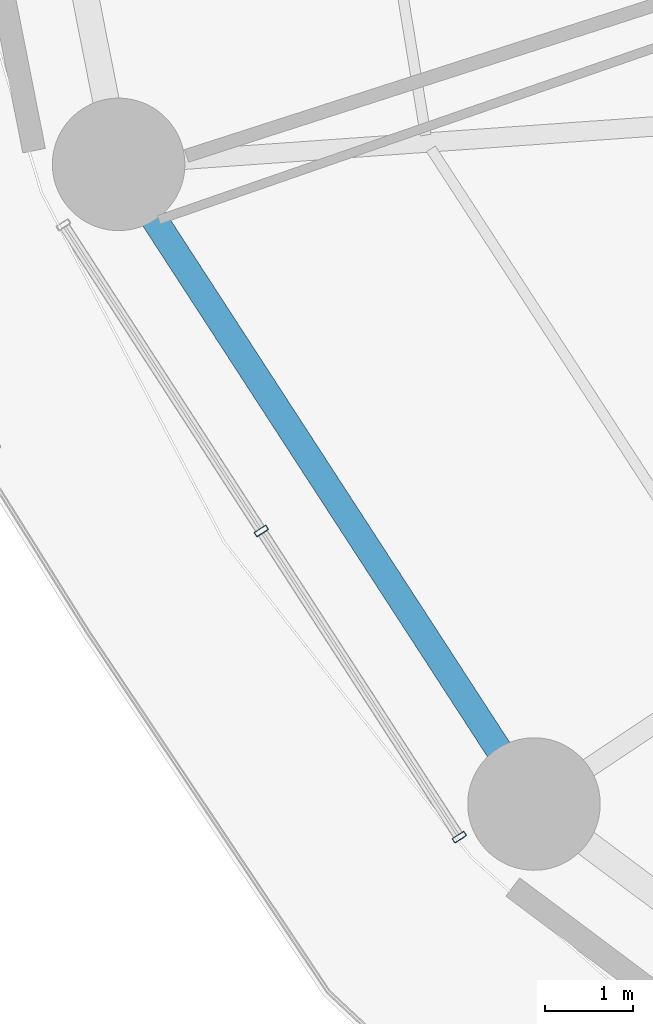
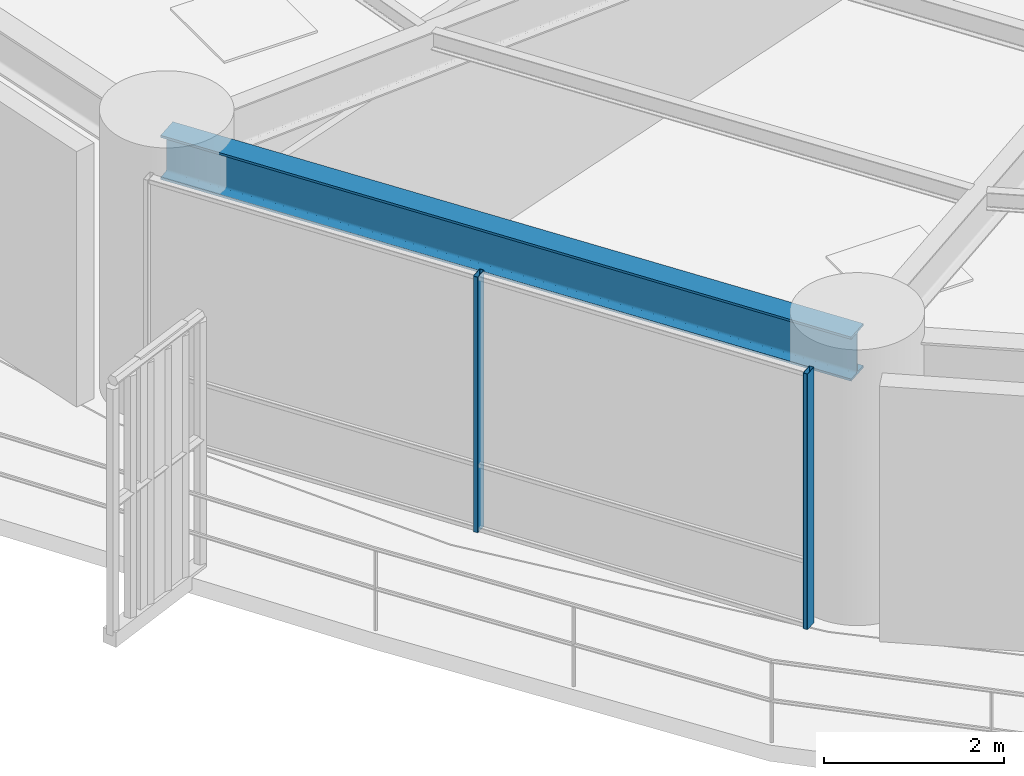
# One storey, part 2 of 31: 2 members, 1 beam, 1 element without a shape of its own.
"""IFC4 building model written with IfcOpenShell, lengths in metres."""

from ifc_helpers import new_model, si_unit, direction, frame, origin, origin_2d, place, context, subcontext, project, spatial, hollow_rectangle, i_section, extrude, material, layer, layer_set, material_profile, profile_set, type_object, element, aggregate, save


model = new_model("IFC4")

# Units and contexts
model_context = context("Model", 3, precision=1e-05, world=origin(), true_north=direction((0.0, 1.0)))
body_context = subcontext(model_context, "Body", "Model", "MODEL_VIEW")
ifc_project = project(units=[si_unit("LENGTHUNIT", "METRE"), si_unit("AREAUNIT", "SQUARE_METRE"), si_unit("VOLUMEUNIT", "CUBIC_METRE"), si_unit("PLANEANGLEUNIT", "RADIAN"), si_unit("MASSUNIT", "GRAM", prefix="KILO")], contexts=[model_context])

# Site, building, storey
site_placement = place(None, origin())
site = spatial("IfcSite", under=ifc_project, at=site_placement, CompositionType="ELEMENT")
building_placement = place(site_placement, origin())
building = spatial("IfcBuilding", under=site, at=building_placement, Name="Kelanora Arch Commons", CompositionType="ELEMENT")
storey_placement = place(building_placement, frame((0.0, 0.0, 63.75)))
storey = spatial("IfcBuildingStorey", under=building, at=storey_placement, Name="L16", CompositionType="ELEMENT", Elevation=63.75)

# Beam
ifc_material_1 = material(Name="Steel S355", Category="steel")
ifc_material_profile_1 = material_profile(ifc_material_1, i_section(OverallWidth=0.300048828125, OverallDepth=0.60009765625, WebThickness=0.015380859375, FlangeThickness=0.030029296875, FilletRadius=0.027099609375, at=origin_2d()), Name="HEB600")
ifc_profile_set_1 = profile_set([ifc_material_profile_1], Name="Steel S355")
beam_type = type_object("IfcBeamType", Name="BM-SPN-Z1", PredefinedType="SPANDREL", material=ifc_profile_set_1)
beam_placement = place(storey_placement, frame((48.552978515625, 49.76416015625, 3.18994140625), z_axis=(0.544585813928, -0.838705127722, 0.0), x_axis=(0.838705127722, 0.544585813928, 0.0)))
element("IfcBeam", 1, at=beam_placement, inside=storey, type_object=beam_type, Name="Perimeter Spandrel Beam BS-20 L16", PredefinedType="SPANDREL", context=body_context, shape_type="SweptSolid", body=[
    extrude(i_section(OverallWidth=0.300048828125, OverallDepth=0.60009765625, WebThickness=0.015380859375, FlangeThickness=0.030029296875, FilletRadius=0.027099609375, at=origin_2d()), origin(), (0.0, 0.0, 1.0), 8.63525390625),
])

# Curtain wall, members
ifc_material_2 = material(Name="Terracotta ceramic-fritted low-E glass and aluminium", Category="masonry")
ifc_layer = layer(ifc_material_2, 0.159912109375)
ifc_layer_set = layer_set([ifc_layer], Name="Terracotta ceramic-fritted low-E glass and aluminium")
curtain_wall_type = type_object("IfcCurtainWallType", Name="CW-SYS-01", PredefinedType="NOTDEFINED", material=ifc_layer_set)
curtain_wall_placement = place(storey_placement, origin())
curtain_wall = element("IfcCurtainWall", 2, at=curtain_wall_placement, inside=storey, type_object=curtain_wall_type, Name="Unitised Curtain Wall L16-B10", PredefinedType="NOTDEFINED")
ifc_material_3 = material(Name="Powder-coated aluminium terracotta", Category="masonry")
ifc_material_profile_2 = material_profile(ifc_material_3, hollow_rectangle(XDim=0.159912109375, YDim=0.06005859375, WallThickness=0.0048828125, InnerFilletRadius=0.0048828125, OuterFilletRadius=0.010009765625, at=origin_2d()), Name="CWM160x60")
ifc_profile_set_2 = profile_set([ifc_material_profile_2], Name="Powder-coated aluminium terracotta")
member_type = type_object("IfcMemberType", Name="CWM-STD", PredefinedType="MULLION", material=ifc_profile_set_2)
member_1_placement = place(storey_placement, frame((50.169189453125, 45.61328125, 0.0), z_axis=(0.0, 0.0, 1.0), x_axis=(0.83972982332, 0.543004441812, 0.0)))
member_1 = element("IfcMember", 3, at=member_1_placement, type_object=member_type, Name="CW-01 mullion 2", PredefinedType="MULLION", context=body_context, shape_type="SweptSolid", body=[
    extrude(hollow_rectangle(XDim=0.159912109375, YDim=0.06005859375, WallThickness=0.0048828125, InnerFilletRadius=0.0048828125, OuterFilletRadius=0.010009765625, at=origin_2d()), origin(), (0.0, 0.0, 1.0), 3.47509765625),
])
member_2_placement = place(storey_placement, frame((52.41064453125, 42.14697265625, 0.0), z_axis=(0.0, 0.0, 1.0), x_axis=(0.83972982332, 0.543004441812, 0.0)))
member_2 = element("IfcMember", 4, at=member_2_placement, type_object=member_type, Name="CW-01 mullion 3", PredefinedType="MULLION", context=body_context, shape_type="SweptSolid", body=[
    extrude(hollow_rectangle(XDim=0.159912109375, YDim=0.06005859375, WallThickness=0.0048828125, InnerFilletRadius=0.0048828125, OuterFilletRadius=0.010009765625, at=origin_2d()), origin(), (0.0, 0.0, 1.0), 3.47509765625),
])
aggregate(curtain_wall, [member_1, member_2])

save(model, "model.ifc")
